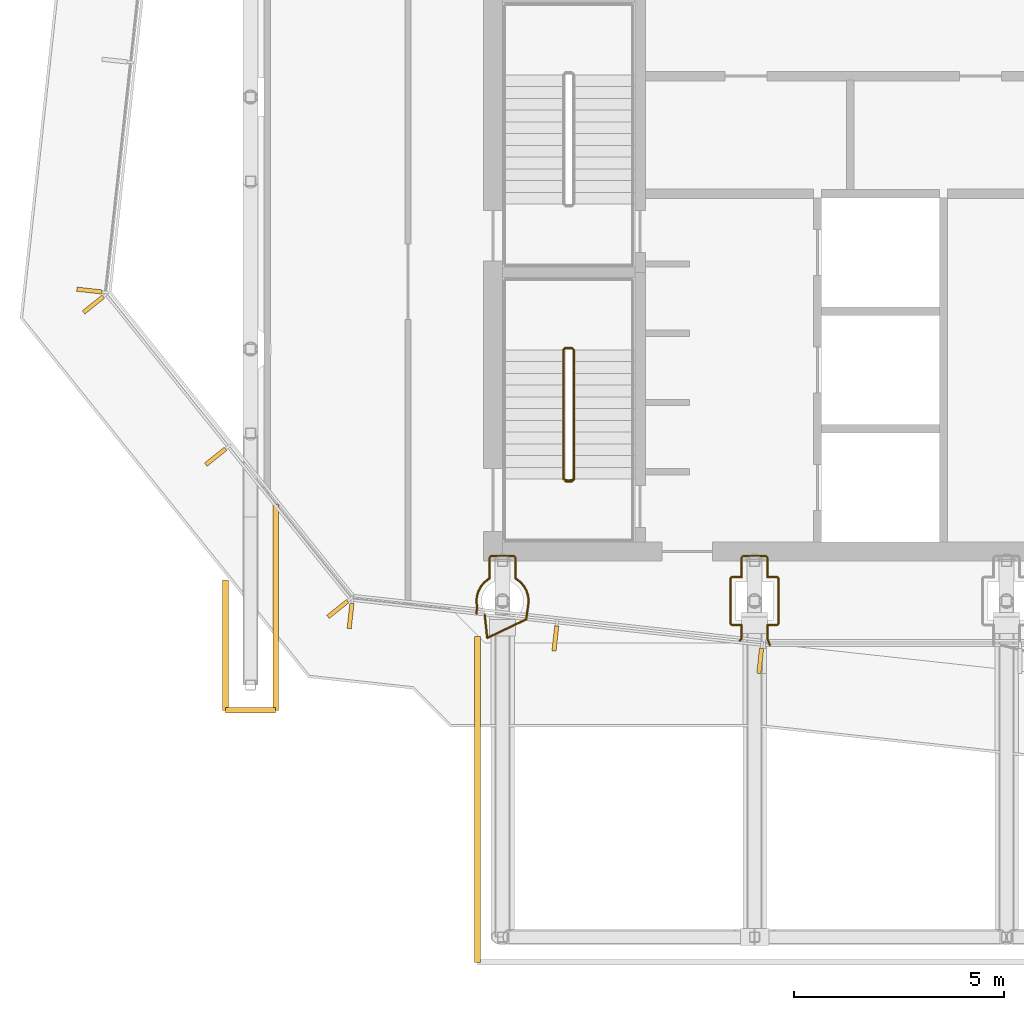
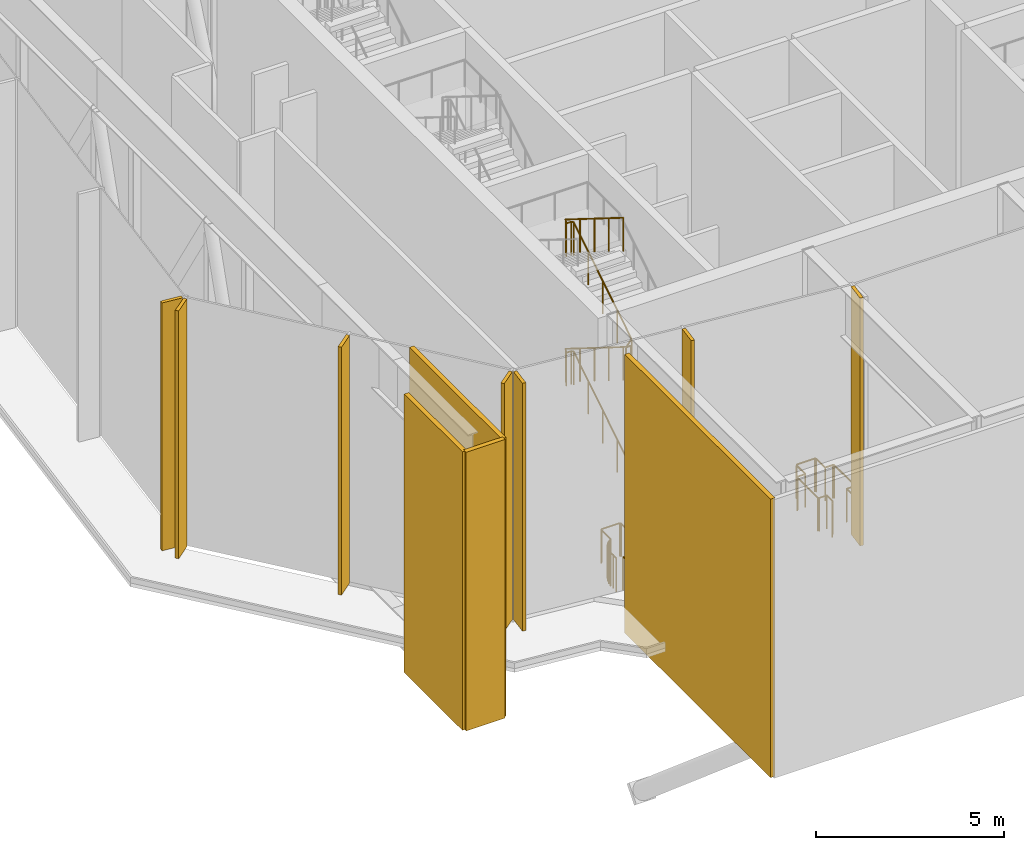
# One storey, part 15 of 21: 11 coverings, 4 railings.
"""IFC4 building model written with IfcOpenShell, lengths in metres."""

from ifc_helpers import new_model, si_unit, direction, frame, origin, origin_2d, place, context, subcontext, project, spatial, polyline, rectangle, circle, outline, extrude, material, layer, layer_set, type_object, element, save


model = new_model("IFC4")

# Units and contexts
model_context = context("Model", 3, precision=1e-05, world=origin(), true_north=direction((0.0, 1.0)))
body_context = subcontext(model_context, "Body", "Model", "MODEL_VIEW")
ifc_project = project(units=[si_unit("LENGTHUNIT", "METRE"), si_unit("AREAUNIT", "SQUARE_METRE"), si_unit("VOLUMEUNIT", "CUBIC_METRE"), si_unit("PLANEANGLEUNIT", "RADIAN"), si_unit("MASSUNIT", "GRAM", prefix="KILO")], contexts=[model_context])

# Site, building, storey
site_placement = place(None, origin())
site = spatial("IfcSite", under=ifc_project, at=site_placement, CompositionType="ELEMENT")
building_placement = place(site_placement, origin())
building = spatial("IfcBuilding", under=site, at=building_placement, Name="Welwitschia Terrace Campus", CompositionType="ELEMENT")
storey_placement = place(building_placement, frame((0.0, 0.0, 255.800048828125)))
storey = spatial("IfcBuildingStorey", under=building, at=storey_placement, Name="L57", CompositionType="ELEMENT", Elevation=255.800048828125)

# Coverings
ifc_material_1 = material(Name="Bronze anodised aluminium", Category="aluminium")
ifc_layer_1 = layer(ifc_material_1, 0.10009765625)
ifc_layer_set_1 = layer_set([ifc_layer_1], Name="Bronze anodised aluminium")
covering_type_1 = type_object("IfcCoveringType", Name="Bronze fin 100x600", PredefinedType="USERDEFINED", material=ifc_layer_set_1)
for number, where, z_axis, x_axis, name in (
    (1, (-3.836669921875, 11.391845703125, 0.0), (0.0, 0.0, 1.0), (-0.108866874852, -0.994056338222, 0.0), "Fin L57.8.4"),
    (2, (-3.73974609375, 11.059326171875, 0.0), (0.0, 0.0, 1.0), (0.625923472184, -0.779884483093, 0.0), "Fin L57.9.0"),
    (3, (-0.830810546875, 7.434814453125, 0.0), (0.0, 0.0, 1.0), (0.625923472184, -0.779884483093, 0.0), "Fin L57.9.1"),
    (4, (2.078369140625, 3.810302734375, 0.0), (0.0, 0.0, 1.0), (0.625923472184, -0.779884483093, 0.0), "Fin L57.9.2"),
    (5, (2.3818359375, 3.6435546875, 0.0), (0.0, 0.0, 1.0), (0.994056338222, -0.108866874852, 0.0), "Fin L57.10.0"),
    (6, (7.25830078125, 3.109619140625, 0.0), (0.0, 0.0, 1.0), (0.994056338222, -0.108866874852, 0.0), "Fin L57.10.1"),
    (7, (12.134765625, 2.575439453125, 0.0), (0.0, 0.0, 1.0), (0.994056338222, -0.108866874852, 0.0), "Fin L57.10.2"),
):
    element("IfcCovering", number, at=place(storey_placement, frame(where, z_axis=z_axis, x_axis=x_axis)), inside=storey, type_object=covering_type_1, Name=name, ObjectType="FIN", PredefinedType="USERDEFINED", context=body_context, shape_type="SweptSolid", body=[
        extrude(rectangle(XDim=0.10009765625, YDim=0.60009765625, at=origin_2d()), origin(), (0.0, 0.0, 1.0), 8.050048828125),
    ])

# Railings
ifc_material_2 = material(Name="Stainless steel grade 316", Category="steel")
railing_type_1 = type_object("IfcRailingType", Name="Guard 1100", PredefinedType="GUARDRAIL", material=ifc_material_2)
railing_1_placement = place(storey_placement, frame((6.56884765625, 3.5673828125, 0.0)))
element("IfcRailing", 8, at=railing_1_placement, inside=storey, type_object=railing_type_1, Name="Guard floor edge L57.1", PredefinedType="GUARDRAIL", context=body_context, shape_type="SweptSolid", body=[
    extrude(circle(Radius=0.02392578125, at=origin_2d()), frame((0.0, 0.0, 1.076171875), z_axis=(-0.901802622683, -0.432148157142, 0.0), x_axis=(0.432148157142, -0.901802622683, 0.0)), (0.0, 0.0, 1.0), 1.034912109375),
    extrude(circle(Radius=0.02392578125, at=origin_2d()), frame((-0.933349609375, -0.447265625, 1.076171875), z_axis=(-0.106980228935, 0.994261148098, 0.0), x_axis=(-0.994261148098, -0.106980228935, 0.0)), (0.0, 0.0, 1.0), 0.55908203125),
    extrude(circle(Radius=0.02099609375, at=origin_2d()), origin(), (0.0, 0.0, 1.0), 1.052001953125),
    extrude(circle(Radius=0.02099609375, at=origin_2d()), frame((-0.933349609375, -0.447265625, 0.0)), (0.0, 0.0, 1.0), 1.052001953125),
    extrude(circle(Radius=0.02099609375, at=origin_2d()), frame((-0.9931640625, 0.108642578125, 0.0)), (0.0, 0.0, 1.0), 1.052001953125),
])
railing_2_placement = place(storey_placement, frame((12.364990234375, 2.949951171875, 0.0)))
element("IfcRailing", 9, at=railing_2_placement, inside=storey, type_object=railing_type_1, Name="Guard floor edge L57.25", PredefinedType="GUARDRAIL", context=body_context, shape_type="SweptSolid", body=[
    extrude(circle(Radius=0.02392578125, at=origin_2d()), frame((0.0, 0.0, 1.076171875), z_axis=(-0.351123441588, 0.936329177569, 0.0), x_axis=(-0.936329177569, -0.351123441588, 0.0)), (0.0, 0.0, 1.0), 0.171142578125),
    extrude(circle(Radius=0.02392578125, at=origin_2d()), frame((-0.06005859375, 0.16015625, 1.076171875), z_axis=(0.0, 1.0, 0.0), x_axis=(-1.0, 0.0, 0.0)), (0.0, 0.0, 1.0), 0.31982421875),
    extrude(circle(Radius=0.02392578125, at=origin_2d()), frame((-0.06005859375, 0.47998046875, 1.076171875), z_axis=(1.0, 0.0, 0.0), x_axis=(0.0, 1.0, 0.0)), (0.0, 0.0, 1.0), 0.2373046875),
    extrude(circle(Radius=0.02392578125, at=origin_2d()), frame((0.17724609375, 0.47998046875, 1.076171875), z_axis=(0.707106781187, 0.707106781187, 0.0), x_axis=(-0.707106781187, 0.707106781187, 0.0)), (0.0, 0.0, 1.0), 0.039306640625),
    extrude(circle(Radius=0.02392578125, at=origin_2d()), frame((0.205078125, 0.5078125, 1.076171875), z_axis=(0.0, 1.0, 0.0), x_axis=(-1.0, 0.0, 0.0)), (0.0, 0.0, 1.0), 1.08447265625),
    extrude(circle(Radius=0.02392578125, at=origin_2d()), frame((0.205078125, 1.59228515625, 1.076171875), z_axis=(-0.707106781187, 0.707106781187, 0.0), x_axis=(-0.707106781187, -0.707106781187, 0.0)), (0.0, 0.0, 1.0), 0.039306640625),
    extrude(circle(Radius=0.02392578125, at=origin_2d()), frame((0.17724609375, 1.6201171875, 1.076171875), z_axis=(-1.0, 0.0, 0.0), x_axis=(0.0, -1.0, 0.0)), (0.0, 0.0, 1.0), 0.2373046875),
    extrude(circle(Radius=0.02392578125, at=origin_2d()), frame((-0.06005859375, 1.6201171875, 1.076171875), z_axis=(0.0, 1.0, 0.0), x_axis=(-1.0, 0.0, 0.0)), (0.0, 0.0, 1.0), 0.47216796875),
    extrude(circle(Radius=0.02392578125, at=origin_2d()), frame((-0.06005859375, 2.09228515625, 1.076171875), z_axis=(-0.707106781187, 0.707106781187, 0.0), x_axis=(-0.707106781187, -0.707106781187, 0.0)), (0.0, 0.0, 1.0), 0.039306640625),
    extrude(circle(Radius=0.02392578125, at=origin_2d()), frame((-0.087890625, 2.1201171875, 1.076171875), z_axis=(-1.0, 0.0, 0.0), x_axis=(0.0, -1.0, 0.0)), (0.0, 0.0, 1.0), 0.55419921875),
    extrude(circle(Radius=0.02392578125, at=origin_2d()), frame((-0.64208984375, 2.1201171875, 1.076171875), z_axis=(-0.707106781187, -0.707106781187, 0.0), x_axis=(0.707106781187, -0.707106781187, 0.0)), (0.0, 0.0, 1.0), 0.039306640625),
    extrude(circle(Radius=0.02392578125, at=origin_2d()), frame((-0.669921875, 2.09228515625, 1.076171875), z_axis=(0.0, -1.0, 0.0), x_axis=(1.0, 0.0, 0.0)), (0.0, 0.0, 1.0), 0.47216796875),
    extrude(circle(Radius=0.02392578125, at=origin_2d()), frame((-0.669921875, 1.6201171875, 1.076171875), z_axis=(-1.0, 0.0, 0.0), x_axis=(0.0, -1.0, 0.0)), (0.0, 0.0, 1.0), 0.2373046875),
    extrude(circle(Radius=0.02392578125, at=origin_2d()), frame((-0.9072265625, 1.6201171875, 1.076171875), z_axis=(-0.707106781187, -0.707106781187, 0.0), x_axis=(0.707106781187, -0.707106781187, 0.0)), (0.0, 0.0, 1.0), 0.039306640625),
    extrude(circle(Radius=0.02392578125, at=origin_2d()), frame((-0.93505859375, 1.59228515625, 1.076171875), z_axis=(0.0, -1.0, 0.0), x_axis=(1.0, 0.0, 0.0)), (0.0, 0.0, 1.0), 1.08447265625),
    extrude(circle(Radius=0.02392578125, at=origin_2d()), frame((-0.93505859375, 0.5078125, 1.076171875), z_axis=(0.707106781187, -0.707106781187, 0.0), x_axis=(0.707106781187, 0.707106781187, 0.0)), (0.0, 0.0, 1.0), 0.039306640625),
    extrude(circle(Radius=0.02392578125, at=origin_2d()), frame((-0.9072265625, 0.47998046875, 1.076171875), z_axis=(1.0, 0.0, 0.0), x_axis=(0.0, 1.0, 0.0)), (0.0, 0.0, 1.0), 0.2373046875),
    extrude(circle(Radius=0.02392578125, at=origin_2d()), frame((-0.669921875, 0.47998046875, 1.076171875), z_axis=(0.0, -1.0, 0.0), x_axis=(1.0, 0.0, 0.0)), (0.0, 0.0, 1.0), 0.309814453125),
    extrude(circle(Radius=0.02392578125, at=origin_2d()), frame((-0.669921875, 0.170166015625, 1.076171875), z_axis=(-0.559963432154, -0.828517323084, 0.0), x_axis=(0.828517323084, -0.559963432154, 0.0)), (0.0, 0.0, 1.0), 0.128173828125),
    extrude(circle(Radius=0.02099609375, at=origin_2d()), origin(), (0.0, 0.0, 1.0), 1.052001953125),
    extrude(circle(Radius=0.02099609375, at=origin_2d()), frame((-0.06005859375, 0.16015625, 0.0)), (0.0, 0.0, 1.0), 1.052001953125),
    extrude(circle(Radius=0.02099609375, at=origin_2d()), frame((-0.06005859375, 0.47998046875, 0.0)), (0.0, 0.0, 1.0), 1.052001953125),
    extrude(circle(Radius=0.02099609375, at=origin_2d()), frame((0.17724609375, 0.47998046875, 0.0)), (0.0, 0.0, 1.0), 1.052001953125),
    extrude(circle(Radius=0.02099609375, at=origin_2d()), frame((0.205078125, 0.5078125, 0.0)), (0.0, 0.0, 1.0), 1.052001953125),
    extrude(circle(Radius=0.02099609375, at=origin_2d()), frame((0.205078125, 1.59228515625, 0.0)), (0.0, 0.0, 1.0), 1.052001953125),
    extrude(circle(Radius=0.02099609375, at=origin_2d()), frame((0.17724609375, 1.6201171875, 0.0)), (0.0, 0.0, 1.0), 1.052001953125),
    extrude(circle(Radius=0.02099609375, at=origin_2d()), frame((-0.06005859375, 1.6201171875, 0.0)), (0.0, 0.0, 1.0), 1.052001953125),
    extrude(circle(Radius=0.02099609375, at=origin_2d()), frame((-0.06005859375, 2.09228515625, 0.0)), (0.0, 0.0, 1.0), 1.052001953125),
    extrude(circle(Radius=0.02099609375, at=origin_2d()), frame((-0.087890625, 2.1201171875, 0.0)), (0.0, 0.0, 1.0), 1.052001953125),
    extrude(circle(Radius=0.02099609375, at=origin_2d()), frame((-0.64208984375, 2.1201171875, 0.0)), (0.0, 0.0, 1.0), 1.052001953125),
    extrude(circle(Radius=0.02099609375, at=origin_2d()), frame((-0.669921875, 2.09228515625, 0.0)), (0.0, 0.0, 1.0), 1.052001953125),
    extrude(circle(Radius=0.02099609375, at=origin_2d()), frame((-0.669921875, 1.6201171875, 0.0)), (0.0, 0.0, 1.0), 1.052001953125),
    extrude(circle(Radius=0.02099609375, at=origin_2d()), frame((-0.9072265625, 1.6201171875, 0.0)), (0.0, 0.0, 1.0), 1.052001953125),
    extrude(circle(Radius=0.02099609375, at=origin_2d()), frame((-0.93505859375, 1.59228515625, 0.0)), (0.0, 0.0, 1.0), 1.052001953125),
    extrude(circle(Radius=0.02099609375, at=origin_2d()), frame((-0.93505859375, 0.5078125, 0.0)), (0.0, 0.0, 1.0), 1.052001953125),
    extrude(circle(Radius=0.02099609375, at=origin_2d()), frame((-0.9072265625, 0.47998046875, 0.0)), (0.0, 0.0, 1.0), 1.052001953125),
    extrude(circle(Radius=0.02099609375, at=origin_2d()), frame((-0.669921875, 0.47998046875, 0.0)), (0.0, 0.0, 1.0), 1.052001953125),
    extrude(circle(Radius=0.02099609375, at=origin_2d()), frame((-0.669921875, 0.170166015625, 0.0)), (0.0, 0.0, 1.0), 1.052001953125),
    extrude(circle(Radius=0.02099609375, at=origin_2d()), frame((-0.74169921875, 0.06396484375, 0.0)), (0.0, 0.0, 1.0), 1.052001953125),
])
railing_3_placement = place(storey_placement, frame((6.5625, 3.568115234375, 0.0)))
element("IfcRailing", 10, at=railing_3_placement, inside=storey, type_object=railing_type_1, Name="Guard floor edge L57.30", PredefinedType="GUARDRAIL", context=body_context, shape_type="SweptSolid", body=[
    extrude(circle(Radius=0.02392578125, at=origin_2d()), frame((0.0, 0.0, 1.076171875), z_axis=(0.146858422388, 0.989157522225, 0.0), x_axis=(-0.989157522225, 0.146858422388, 0.0)), (0.0, 0.0, 1.0), 0.314208984375),
    extrude(circle(Radius=0.02392578125, at=origin_2d()), frame((0.046142578125, 0.310791015625, 1.076171875), z_axis=(0.098311749281, 0.995155666192, 0.0), x_axis=(-0.995155666192, 0.098311749281, 0.0)), (0.0, 0.0, 1.0), 0.12158203125),
    extrude(circle(Radius=0.02392578125, at=origin_2d()), frame((0.05810546875, 0.431884765625, 1.076171875), z_axis=(-0.098311749281, 0.995155666192, 0.0), x_axis=(-0.995155666192, -0.098311749281, 0.0)), (0.0, 0.0, 1.0), 0.12158203125),
    extrude(circle(Radius=0.02392578125, at=origin_2d()), frame((0.046142578125, 0.552978515625, 1.076171875), z_axis=(-0.290842335819, 0.956770994384, 0.0), x_axis=(-0.956770994384, -0.290842335819, 0.0)), (0.0, 0.0, 1.0), 0.121826171875),
    extrude(circle(Radius=0.02392578125, at=origin_2d()), frame((0.0107421875, 0.66943359375, 1.076171875), z_axis=(-0.470379554069, 0.882464206138, 0.0), x_axis=(-0.882464206138, -0.470379554069, 0.0)), (0.0, 0.0, 1.0), 0.121337890625),
    extrude(circle(Radius=0.02392578125, at=origin_2d()), frame((-0.04638671875, 0.776611328125, 1.076171875), z_axis=(-0.63563696613, 0.771988113438, 0.0), x_axis=(-0.771988113438, -0.63563696613, 0.0)), (0.0, 0.0, 1.0), 0.121826171875),
    extrude(circle(Radius=0.02392578125, at=origin_2d()), frame((-0.123779296875, 0.87060546875, 1.076171875), z_axis=(-0.771988113438, 0.63563696613, 0.0), x_axis=(-0.63563696613, -0.771988113438, 0.0)), (0.0, 0.0, 1.0), 0.121826171875),
    extrude(circle(Radius=0.02392578125, at=origin_2d()), frame((-0.2177734375, 0.947998046875, 1.076171875), z_axis=(-0.882203075316, 0.470869126089, 0.0), x_axis=(-0.470869126089, -0.882203075316, 0.0)), (0.0, 0.0, 1.0), 0.045166015625),
    extrude(circle(Radius=0.02392578125, at=origin_2d()), frame((-0.257568359375, 0.96923828125, 1.076171875), z_axis=(0.0, 1.0, 0.0), x_axis=(-1.0, 0.0, 0.0)), (0.0, 0.0, 1.0), 0.5048828125),
    extrude(circle(Radius=0.02392578125, at=origin_2d()), frame((-0.257568359375, 1.47412109375, 1.076171875), z_axis=(-0.707106781187, 0.707106781187, 0.0), x_axis=(-0.707106781187, -0.707106781187, 0.0)), (0.0, 0.0, 1.0), 0.039306640625),
    extrude(circle(Radius=0.02392578125, at=origin_2d()), frame((-0.285400390625, 1.501953125, 1.076171875), z_axis=(-1.0, 0.0, 0.0), x_axis=(0.0, -1.0, 0.0)), (0.0, 0.0, 1.0), 0.55419921875),
    extrude(circle(Radius=0.02392578125, at=origin_2d()), frame((-0.839599609375, 1.501953125, 1.076171875), z_axis=(-0.707106781187, -0.707106781187, 0.0), x_axis=(0.707106781187, -0.707106781187, 0.0)), (0.0, 0.0, 1.0), 0.039306640625),
    extrude(circle(Radius=0.02392578125, at=origin_2d()), frame((-0.867431640625, 1.47412109375, 1.076171875), z_axis=(0.0, -1.0, 0.0), x_axis=(1.0, 0.0, 0.0)), (0.0, 0.0, 1.0), 0.5048828125),
    extrude(circle(Radius=0.02392578125, at=origin_2d()), frame((-0.867431640625, 0.96923828125, 1.076171875), z_axis=(-0.882203075316, -0.470869126089, 0.0), x_axis=(0.470869126089, -0.882203075316, 0.0)), (0.0, 0.0, 1.0), 0.045166015625),
    extrude(circle(Radius=0.02392578125, at=origin_2d()), frame((-0.9072265625, 0.947998046875, 1.076171875), z_axis=(-0.771988113438, -0.63563696613, 0.0), x_axis=(0.63563696613, -0.771988113438, 0.0)), (0.0, 0.0, 1.0), 0.121826171875),
    extrude(circle(Radius=0.02392578125, at=origin_2d()), frame((-1.001220703125, 0.87060546875, 1.076171875), z_axis=(-0.63563696613, -0.771988113438, 0.0), x_axis=(0.771988113438, -0.63563696613, 0.0)), (0.0, 0.0, 1.0), 0.121826171875),
    extrude(circle(Radius=0.02392578125, at=origin_2d()), frame((-1.07861328125, 0.776611328125, 1.076171875), z_axis=(-0.470379554069, -0.882464206138, 0.0), x_axis=(0.882464206138, -0.470379554069, 0.0)), (0.0, 0.0, 1.0), 0.121337890625),
    extrude(circle(Radius=0.02392578125, at=origin_2d()), frame((-1.1357421875, 0.66943359375, 1.076171875), z_axis=(-0.290842335819, -0.956770994384, 0.0), x_axis=(0.956770994384, -0.290842335819, 0.0)), (0.0, 0.0, 1.0), 0.121826171875),
    extrude(circle(Radius=0.02392578125, at=origin_2d()), frame((-1.171142578125, 0.552978515625, 1.076171875), z_axis=(-0.098311749281, -0.995155666192, 0.0), x_axis=(0.995155666192, -0.098311749281, 0.0)), (0.0, 0.0, 1.0), 0.12158203125),
    extrude(circle(Radius=0.02392578125, at=origin_2d()), frame((-1.18310546875, 0.431884765625, 1.076171875), z_axis=(0.098311749281, -0.995155666192, 0.0), x_axis=(0.995155666192, 0.098311749281, 0.0)), (0.0, 0.0, 1.0), 0.12158203125),
    extrude(circle(Radius=0.02392578125, at=origin_2d()), frame((-1.171142578125, 0.310791015625, 1.076171875), z_axis=(-0.051008779282, -0.998698204883, 0.0), x_axis=(0.998698204883, -0.051008779282, 0.0)), (0.0, 0.0, 1.0), 0.181884765625),
    extrude(circle(Radius=0.02099609375, at=origin_2d()), origin(), (0.0, 0.0, 1.0), 1.052001953125),
    extrude(circle(Radius=0.02099609375, at=origin_2d()), frame((0.046142578125, 0.310791015625, 0.0)), (0.0, 0.0, 1.0), 1.052001953125),
    extrude(circle(Radius=0.02099609375, at=origin_2d()), frame((0.05810546875, 0.431884765625, 0.0)), (0.0, 0.0, 1.0), 1.052001953125),
    extrude(circle(Radius=0.02099609375, at=origin_2d()), frame((0.046142578125, 0.552978515625, 0.0)), (0.0, 0.0, 1.0), 1.052001953125),
    extrude(circle(Radius=0.02099609375, at=origin_2d()), frame((0.0107421875, 0.66943359375, 0.0)), (0.0, 0.0, 1.0), 1.052001953125),
    extrude(circle(Radius=0.02099609375, at=origin_2d()), frame((-0.04638671875, 0.776611328125, 0.0)), (0.0, 0.0, 1.0), 1.052001953125),
    extrude(circle(Radius=0.02099609375, at=origin_2d()), frame((-0.123779296875, 0.87060546875, 0.0)), (0.0, 0.0, 1.0), 1.052001953125),
    extrude(circle(Radius=0.02099609375, at=origin_2d()), frame((-0.2177734375, 0.947998046875, 0.0)), (0.0, 0.0, 1.0), 1.052001953125),
    extrude(circle(Radius=0.02099609375, at=origin_2d()), frame((-0.257568359375, 0.96923828125, 0.0)), (0.0, 0.0, 1.0), 1.052001953125),
    extrude(circle(Radius=0.02099609375, at=origin_2d()), frame((-0.257568359375, 1.47412109375, 0.0)), (0.0, 0.0, 1.0), 1.052001953125),
    extrude(circle(Radius=0.02099609375, at=origin_2d()), frame((-0.285400390625, 1.501953125, 0.0)), (0.0, 0.0, 1.0), 1.052001953125),
    extrude(circle(Radius=0.02099609375, at=origin_2d()), frame((-0.839599609375, 1.501953125, 0.0)), (0.0, 0.0, 1.0), 1.052001953125),
    extrude(circle(Radius=0.02099609375, at=origin_2d()), frame((-0.867431640625, 1.47412109375, 0.0)), (0.0, 0.0, 1.0), 1.052001953125),
    extrude(circle(Radius=0.02099609375, at=origin_2d()), frame((-0.867431640625, 0.96923828125, 0.0)), (0.0, 0.0, 1.0), 1.052001953125),
    extrude(circle(Radius=0.02099609375, at=origin_2d()), frame((-0.9072265625, 0.947998046875, 0.0)), (0.0, 0.0, 1.0), 1.052001953125),
    extrude(circle(Radius=0.02099609375, at=origin_2d()), frame((-1.001220703125, 0.87060546875, 0.0)), (0.0, 0.0, 1.0), 1.052001953125),
    extrude(circle(Radius=0.02099609375, at=origin_2d()), frame((-1.07861328125, 0.776611328125, 0.0)), (0.0, 0.0, 1.0), 1.052001953125),
    extrude(circle(Radius=0.02099609375, at=origin_2d()), frame((-1.1357421875, 0.66943359375, 0.0)), (0.0, 0.0, 1.0), 1.052001953125),
    extrude(circle(Radius=0.02099609375, at=origin_2d()), frame((-1.171142578125, 0.552978515625, 0.0)), (0.0, 0.0, 1.0), 1.052001953125),
    extrude(circle(Radius=0.02099609375, at=origin_2d()), frame((-1.18310546875, 0.431884765625, 0.0)), (0.0, 0.0, 1.0), 1.052001953125),
    extrude(circle(Radius=0.02099609375, at=origin_2d()), frame((-1.171142578125, 0.310791015625, 0.0)), (0.0, 0.0, 1.0), 1.052001953125),
    extrude(circle(Radius=0.02099609375, at=origin_2d()), frame((-1.180419921875, 0.129150390625, 0.0)), (0.0, 0.0, 1.0), 1.052001953125),
])

# Coverings
ifc_material_3 = material(Name="Bronze anodised aluminium", Category="aluminium")
ifc_layer_2 = layer(ifc_material_3, 0.139892578125)
ifc_layer_set_2 = layer_set([ifc_layer_2], Name="Bronze anodised aluminium")
covering_type_2 = type_object("IfcCoveringType", Name="Soffit fascia cladding 140", PredefinedType="CLADDING", material=ifc_layer_set_2)
covering_1_placement = place(storey_placement, frame((0.0, 0.0, -1.0)))
element("IfcCovering", 11, at=covering_1_placement, inside=storey, type_object=covering_type_2, Name="Clad fascia L57.tip fascia St0 end", PredefinedType="CLADDING", context=body_context, shape_type="SweptSolid", body=[
    extrude(outline(polyline([(0.60009765625, 1.469970703125), (-0.60009765625, 1.469970703125), (-0.60009765625, 1.330078125), (0.60009765625, 1.330078125), (0.60009765625, 1.469970703125)])), origin(), (0.0, 0.0, 1.0), 9.050048828125),
])
covering_2_placement = place(storey_placement, frame((0.0, 0.0, -1.0)))
element("IfcCovering", 12, at=covering_2_placement, inside=storey, type_object=covering_type_2, Name="Clad fascia L57.tip fascia St0 w", PredefinedType="CLADDING", context=body_context, shape_type="SweptSolid", body=[
    extrude(outline(polyline([(-0.530029296875, 1.39990234375), (-0.530029296875, 4.5), (-0.669921875, 4.5), (-0.669921875, 1.39990234375), (-0.530029296875, 1.39990234375)])), origin(), (0.0, 0.0, 1.0), 9.050048828125),
])
covering_3_placement = place(storey_placement, frame((0.0, 0.0, -1.0)))
element("IfcCovering", 13, at=covering_3_placement, inside=storey, type_object=covering_type_2, Name="Clad fascia L57.tip fascia St0 e", PredefinedType="CLADDING", context=body_context, shape_type="SweptSolid", body=[
    extrude(outline(polyline([(0.669921875, 1.39990234375), (0.669921875, 6.30712890625), (0.530029296875, 6.30712890625), (0.530029296875, 1.39990234375), (0.669921875, 1.39990234375)])), origin(), (0.0, 0.0, 1.0), 9.050048828125),
])
covering_4_placement = place(storey_placement, frame((0.0, 0.0, -1.0)))
element("IfcCovering", 14, at=covering_4_placement, inside=storey, type_object=covering_type_2, Name="Clad fascia L57.tip fascia St1 w", PredefinedType="CLADDING", context=body_context, shape_type="SweptSolid", body=[
    extrude(outline(polyline([(5.469970703125, -4.60009765625), (5.469970703125, 3.157470703125), (5.330078125, 3.157470703125), (5.330078125, -4.60009765625), (5.469970703125, -4.60009765625)])), origin(), (0.0, 0.0, 1.0), 9.050048828125),
])

# Railing
ifc_material_4 = material(Name="Steel S355", Category="steel")
railing_type_2 = type_object("IfcRailingType", Name="Stair guard 1100", PredefinedType="GUARDRAIL", material=ifc_material_4)
railing_4_placement = place(storey_placement, frame((7.5, 6.85009765625, 0.0)))
element("IfcRailing", 15, at=railing_4_placement, inside=storey, type_object=railing_type_2, Name="L57 S1 stair guard", PredefinedType="GUARDRAIL", context=body_context, shape_type="SweptSolid", body=[
    extrude(circle(Radius=0.02392578125, at=origin_2d()), frame((0.0, 0.0, 1.076171875), z_axis=(1.0, 0.0, 0.0), x_axis=(0.0, 1.0, 0.0)), (0.0, 0.0, 1.0), 0.14990234375),
    extrude(circle(Radius=0.02392578125, at=origin_2d()), frame((0.14990234375, 0.0, 1.076171875), z_axis=(0.265155923931, 0.263862480399, 0.927399011991), x_axis=(-0.705375805398, 0.708833529934, 0.0)), (0.0, 0.0, 1.0), 0.188720703125),
    extrude(circle(Radius=0.02392578125, at=origin_2d()), frame((0.199951171875, 0.0498046875, 1.2509765625), z_axis=(0.0, 0.848028513186, 0.529950602248), x_axis=(-1.0, 0.0, 0.0)), (0.0, 0.0, 1.0), 3.632080078125),
    extrude(circle(Radius=0.02392578125, at=origin_2d()), frame((0.199951171875, 3.1298828125, 3.17578125), z_axis=(-0.707106781187, 0.707106781187, 0.0), x_axis=(-0.707106781187, -0.707106781187, 0.0)), (0.0, 0.0, 1.0), 0.07080078125),
    extrude(circle(Radius=0.02392578125, at=origin_2d()), frame((0.14990234375, 3.179931640625, 3.17578125), z_axis=(-1.0, 0.0, 0.0), x_axis=(0.0, -1.0, 0.0)), (0.0, 0.0, 1.0), 0.14990234375),
    extrude(circle(Radius=0.02392578125, at=origin_2d()), frame((0.0, 3.179931640625, 3.17578125), z_axis=(-0.265065253269, -0.265065253269, 0.927081885822), x_axis=(0.707106781187, -0.707106781187, 0.0)), (0.0, 0.0, 1.0), 0.188720703125),
    extrude(circle(Radius=0.02392578125, at=origin_2d()), frame((-0.050048828125, 3.1298828125, 3.35107421875), z_axis=(0.0, -0.847998304005, 0.529998940003), x_axis=(1.0, 0.0, 0.0)), (0.0, 0.0, 1.0), 3.632080078125),
    extrude(circle(Radius=0.02392578125, at=origin_2d()), frame((-0.050048828125, 0.0498046875, 5.27587890625), z_axis=(0.970351222016, -0.241699205484, 0.0), x_axis=(0.241699205484, 0.970351222016, 0.0)), (0.0, 0.0, 1.0), 0.2060546875),
    extrude(circle(Radius=0.02392578125, at=origin_2d()), frame((0.14990234375, 0.0, 5.27587890625), z_axis=(-1.0, 0.0, 0.0), x_axis=(0.0, -1.0, 0.0)), (0.0, 0.0, 1.0), 0.14990234375),
    extrude(circle(Radius=0.02392578125, at=origin_2d()), frame((0.0, 0.0, 5.27587890625), z_axis=(0.739530593833, 0.18420542264, 0.647427882513), x_axis=(-0.241699205484, 0.970351222016, 0.0)), (0.0, 0.0, 1.0), 0.270263671875),
    extrude(circle(Radius=0.02392578125, at=origin_2d()), frame((0.199951171875, 0.0498046875, 5.451171875), z_axis=(0.0, 0.847998304005, 0.529998940003), x_axis=(-1.0, 0.0, 0.0)), (0.0, 0.0, 1.0), 3.632080078125),
    extrude(circle(Radius=0.02392578125, at=origin_2d()), frame((0.199951171875, 3.1298828125, 7.3759765625), z_axis=(-0.707106781187, 0.707106781187, 0.0), x_axis=(-0.707106781187, -0.707106781187, 0.0)), (0.0, 0.0, 1.0), 0.07080078125),
    extrude(circle(Radius=0.02392578125, at=origin_2d()), frame((0.14990234375, 3.179931640625, 7.3759765625), z_axis=(-1.0, 0.0, 0.0), x_axis=(0.0, -1.0, 0.0)), (0.0, 0.0, 1.0), 0.14990234375),
    extrude(circle(Radius=0.02392578125, at=origin_2d()), frame((0.0, 3.179931640625, 7.3759765625), z_axis=(-0.265383341853, -0.265383341853, 0.926899867156), x_axis=(0.707106781187, -0.707106781187, 0.0)), (0.0, 0.0, 1.0), 0.1884765625),
    extrude(circle(Radius=0.02392578125, at=origin_2d()), frame((-0.050048828125, 3.1298828125, 7.55078125), z_axis=(0.0, -0.847998304005, 0.529998940003), x_axis=(1.0, 0.0, 0.0)), (0.0, 0.0, 1.0), 3.632080078125),
    extrude(circle(Radius=0.02099609375, at=origin_2d()), origin(), (0.0, 0.0, 1.0), 1.052001953125),
    extrude(circle(Radius=0.02099609375, at=origin_2d()), frame((0.14990234375, 0.0, 0.0)), (0.0, 0.0, 1.0), 1.052001953125),
    extrude(circle(Radius=0.02099609375, at=origin_2d()), frame((0.199951171875, 0.0498046875, 0.175048828125)), (0.0, 0.0, 1.0), 1.052001953125),
    extrude(circle(Radius=0.02099609375, at=origin_2d()), frame((0.199951171875, 0.81982421875, 0.65625)), (0.0, 0.0, 1.0), 1.052001953125),
    extrude(circle(Radius=0.02099609375, at=origin_2d()), frame((0.199951171875, 1.58984375, 1.137451171875)), (0.0, 0.0, 1.0), 1.052001953125),
    extrude(circle(Radius=0.02099609375, at=origin_2d()), frame((0.199951171875, 2.35986328125, 1.61865234375)), (0.0, 0.0, 1.0), 1.052001953125),
    extrude(circle(Radius=0.02099609375, at=origin_2d()), frame((0.199951171875, 3.1298828125, 2.099853515625)), (0.0, 0.0, 1.0), 1.052001953125),
    extrude(circle(Radius=0.02099609375, at=origin_2d()), frame((0.14990234375, 3.179931640625, 2.099853515625)), (0.0, 0.0, 1.0), 1.052001953125),
    extrude(circle(Radius=0.02099609375, at=origin_2d()), frame((0.0, 3.179931640625, 2.099853515625)), (0.0, 0.0, 1.0), 1.052001953125),
    extrude(circle(Radius=0.02099609375, at=origin_2d()), frame((-0.050048828125, 3.1298828125, 2.27490234375)), (0.0, 0.0, 1.0), 1.052001953125),
    extrude(circle(Radius=0.02099609375, at=origin_2d()), frame((-0.050048828125, 2.35986328125, 2.756103515625)), (0.0, 0.0, 1.0), 1.052001953125),
    extrude(circle(Radius=0.02099609375, at=origin_2d()), frame((-0.050048828125, 1.58984375, 3.2373046875)), (0.0, 0.0, 1.0), 1.052001953125),
    extrude(circle(Radius=0.02099609375, at=origin_2d()), frame((-0.050048828125, 0.81982421875, 3.71875)), (0.0, 0.0, 1.0), 1.052001953125),
    extrude(circle(Radius=0.02099609375, at=origin_2d()), frame((-0.050048828125, 0.0498046875, 4.199951171875)), (0.0, 0.0, 1.0), 1.052001953125),
    extrude(circle(Radius=0.02099609375, at=origin_2d()), frame((0.14990234375, 0.0, 4.199951171875)), (0.0, 0.0, 1.0), 1.052001953125),
    extrude(circle(Radius=0.02099609375, at=origin_2d()), frame((0.0, 0.0, 4.199951171875)), (0.0, 0.0, 1.0), 1.052001953125),
    extrude(circle(Radius=0.02099609375, at=origin_2d()), frame((0.199951171875, 0.0498046875, 4.375)), (0.0, 0.0, 1.0), 1.052001953125),
    extrude(circle(Radius=0.02099609375, at=origin_2d()), frame((0.199951171875, 0.81982421875, 4.856201171875)), (0.0, 0.0, 1.0), 1.052001953125),
    extrude(circle(Radius=0.02099609375, at=origin_2d()), frame((0.199951171875, 1.58984375, 5.33740234375)), (0.0, 0.0, 1.0), 1.052001953125),
    extrude(circle(Radius=0.02099609375, at=origin_2d()), frame((0.199951171875, 2.35986328125, 5.81884765625)), (0.0, 0.0, 1.0), 1.052001953125),
    extrude(circle(Radius=0.02099609375, at=origin_2d()), frame((0.199951171875, 3.1298828125, 6.300048828125)), (0.0, 0.0, 1.0), 1.052001953125),
    extrude(circle(Radius=0.02099609375, at=origin_2d()), frame((0.14990234375, 3.179931640625, 6.300048828125)), (0.0, 0.0, 1.0), 1.052001953125),
    extrude(circle(Radius=0.02099609375, at=origin_2d()), frame((0.0, 3.179931640625, 6.300048828125)), (0.0, 0.0, 1.0), 1.052001953125),
    extrude(circle(Radius=0.02099609375, at=origin_2d()), frame((-0.050048828125, 3.1298828125, 6.474853515625)), (0.0, 0.0, 1.0), 1.052001953125),
    extrude(circle(Radius=0.02099609375, at=origin_2d()), frame((-0.050048828125, 2.35986328125, 6.9560546875)), (0.0, 0.0, 1.0), 1.052001953125),
    extrude(circle(Radius=0.02099609375, at=origin_2d()), frame((-0.050048828125, 1.58984375, 7.4375)), (0.0, 0.0, 1.0), 1.052001953125),
    extrude(circle(Radius=0.02099609375, at=origin_2d()), frame((-0.050048828125, 0.81982421875, 7.918701171875)), (0.0, 0.0, 1.0), 1.052001953125),
    extrude(circle(Radius=0.02099609375, at=origin_2d()), frame((-0.050048828125, 0.0498046875, 8.39990234375)), (0.0, 0.0, 1.0), 1.052001953125),
])

save(model, "model.ifc")
